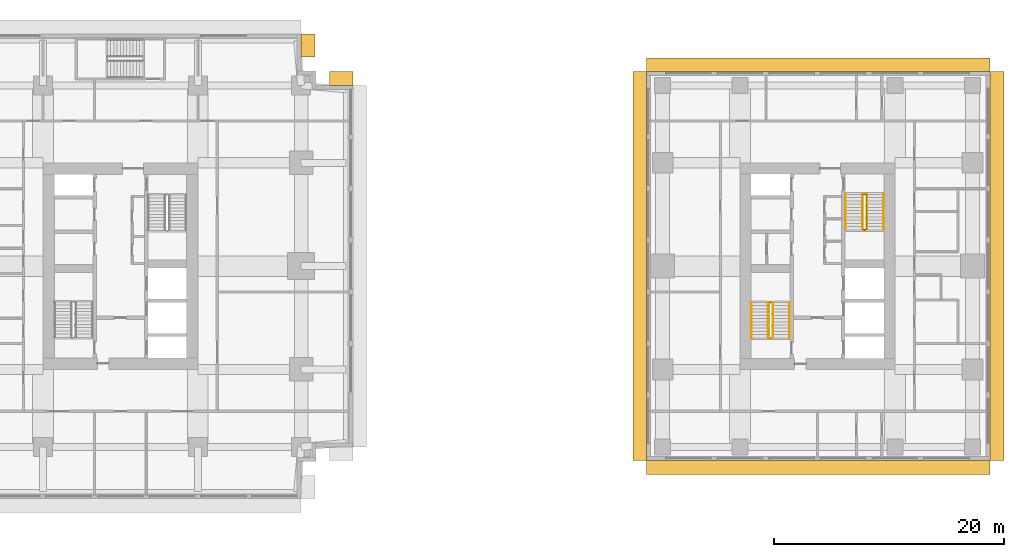
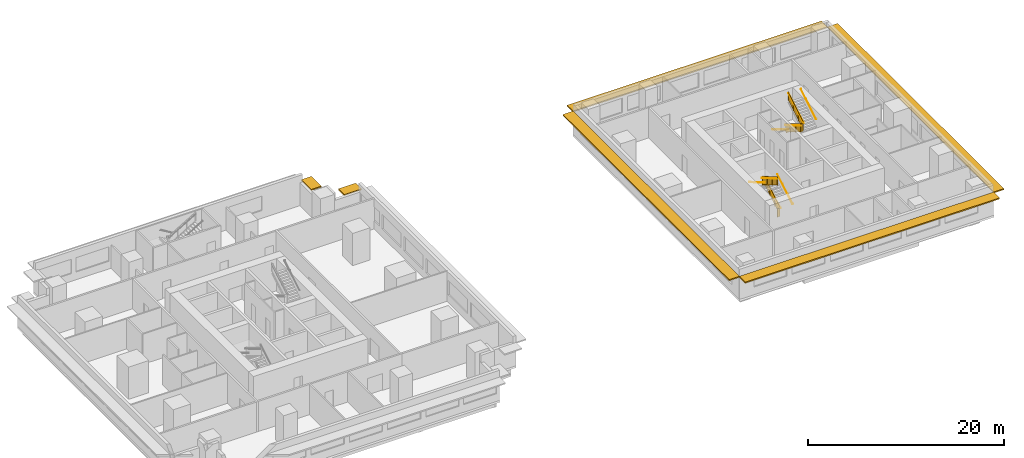
# One storey, part 11 of 11: 10 railings, 6 shading devices.
"""IFC4 building model written with IfcOpenShell, lengths in metres."""

from ifc_helpers import new_model, si_unit, direction, frame, origin, origin_2d, place, context, subcontext, project, spatial, polyline, rectangle, circle, outline, extrude, material, layer, layer_set, type_object, element, save


model = new_model("IFC4")

# Units and contexts
model_context = context("Model", 3, precision=1e-05, world=origin(), true_north=direction((0.0, 1.0)))
body_context = subcontext(model_context, "Body", "Model", "MODEL_VIEW")
ifc_project = project(units=[si_unit("LENGTHUNIT", "METRE"), si_unit("AREAUNIT", "SQUARE_METRE"), si_unit("VOLUMEUNIT", "CUBIC_METRE"), si_unit("PLANEANGLEUNIT", "RADIAN"), si_unit("MASSUNIT", "GRAM", prefix="KILO")], contexts=[model_context])

# Site, building, storey
site_placement = place(None, origin())
site = spatial("IfcSite", under=ifc_project, at=site_placement, CompositionType="ELEMENT")
building_placement = place(site_placement, origin())
building = spatial("IfcBuilding", under=site, at=building_placement, Name="Namib Vertical Campus", CompositionType="ELEMENT")
storey_placement = place(building_placement, frame((0.0, 0.0, 197.0)))
storey = spatial("IfcBuildingStorey", under=building, at=storey_placement, Name="L46", CompositionType="ELEMENT", Elevation=197.0)

# Railings
ifc_material_1 = material(Name="Steel handrail", Category="steel")
railing_type_1 = type_object("IfcRailingType", Name="Handrail 900", PredefinedType="HANDRAIL", material=ifc_material_1)
railing_1_placement = place(storey_placement, frame((78.550048828125, 14.0, 0.166748046875)))
element("IfcRailing", 1, at=railing_1_placement, inside=storey, type_object=railing_type_1, Name="Handrail HR1 B-S1 L46 1", PredefinedType="HANDRAIL", context=body_context, shape_type="SweptSolid", body=[
    extrude(circle(Radius=0.02392578125, at=origin_2d()), frame((0.0, 0.0, 0.8759765625), z_axis=(0.0, 0.859308565015, 0.511457515432), x_axis=(-1.0, 0.0, 0.0)), (0.0, 0.0, 1.0), 3.58447265625),
    extrude(circle(Radius=0.008056640625, at=origin_2d()), frame((0.0, 0.0, 0.8759765625), z_axis=(1.0, 0.0, 0.0), x_axis=(0.0, 0.0, 1.0)), (0.0, 0.0, 1.0), 0.050048828125),
    extrude(circle(Radius=0.008056640625, at=origin_2d()), frame((0.0, 1.026611328125, 1.48681640625), z_axis=(1.0, 0.0, 0.0), x_axis=(0.0, 0.0, 1.0)), (0.0, 0.0, 1.0), 0.050048828125),
    extrude(circle(Radius=0.008056640625, at=origin_2d()), frame((0.0, 2.053466796875, 2.09814453125), z_axis=(1.0, 0.0, 0.0), x_axis=(0.0, 0.0, 1.0)), (0.0, 0.0, 1.0), 0.050048828125),
    extrude(circle(Radius=0.008056640625, at=origin_2d()), frame((0.0, 3.080078125, 2.708984375), z_axis=(1.0, 0.0, 0.0), x_axis=(0.0, 0.0, 1.0)), (0.0, 0.0, 1.0), 0.050048828125),
])
railing_2_placement = place(storey_placement, frame((75.25, 17.080078125, 2.166748046875)))
element("IfcRailing", 2, at=railing_2_placement, inside=storey, type_object=railing_type_1, Name="Handrail HR1 B-S1 L46 2", PredefinedType="HANDRAIL", context=body_context, shape_type="SweptSolid", body=[
    extrude(circle(Radius=0.02392578125, at=origin_2d()), frame((0.0, 0.0, 0.8759765625), z_axis=(0.0, -0.859308565015, 0.511457515432), x_axis=(1.0, 0.0, 0.0)), (0.0, 0.0, 1.0), 3.58447265625),
    extrude(circle(Radius=0.008056640625, at=origin_2d()), frame((0.0, 0.0, 0.8759765625), z_axis=(-1.0, 0.0, 0.0), x_axis=(0.0, 0.0, 1.0)), (0.0, 0.0, 1.0), 0.050048828125),
    extrude(circle(Radius=0.008056640625, at=origin_2d()), frame((0.0, -1.026611328125, 1.48681640625), z_axis=(-1.0, 0.0, 0.0), x_axis=(0.0, 0.0, 1.0)), (0.0, 0.0, 1.0), 0.050048828125),
    extrude(circle(Radius=0.008056640625, at=origin_2d()), frame((0.0, -2.053466796875, 2.09814453125), z_axis=(-1.0, 0.0, 0.0), x_axis=(0.0, 0.0, 1.0)), (0.0, 0.0, 1.0), 0.050048828125),
    extrude(circle(Radius=0.008056640625, at=origin_2d()), frame((0.0, -3.080078125, 2.708984375), z_axis=(-1.0, 0.0, 0.0), x_axis=(0.0, 0.0, 1.0)), (0.0, 0.0, 1.0), 0.050048828125),
])
railing_3_placement = place(storey_placement, frame((77.10009765625, 14.0, 0.166748046875)))
element("IfcRailing", 3, at=railing_3_placement, inside=storey, type_object=railing_type_1, Name="Handrail HR1 B-S1 L46 1 at the well", PredefinedType="HANDRAIL", context=body_context, shape_type="SweptSolid", body=[
    extrude(circle(Radius=0.02392578125, at=origin_2d()), frame((0.0, 0.0, 0.8759765625), z_axis=(0.0, 0.859308565015, 0.511457515432), x_axis=(-1.0, 0.0, 0.0)), (0.0, 0.0, 1.0), 3.58447265625),
    extrude(circle(Radius=0.008056640625, at=origin_2d()), frame((0.0, 0.0, 0.8759765625), z_axis=(-1.0, 0.0, 0.0), x_axis=(0.0, 0.0, 1.0)), (0.0, 0.0, 1.0), 0.0400390625),
    extrude(circle(Radius=0.008056640625, at=origin_2d()), frame((0.0, 1.026611328125, 1.48681640625), z_axis=(-1.0, 0.0, 0.0), x_axis=(0.0, 0.0, 1.0)), (0.0, 0.0, 1.0), 0.0400390625),
    extrude(circle(Radius=0.008056640625, at=origin_2d()), frame((0.0, 2.053466796875, 2.09814453125), z_axis=(-1.0, 0.0, 0.0), x_axis=(0.0, 0.0, 1.0)), (0.0, 0.0, 1.0), 0.0400390625),
    extrude(circle(Radius=0.008056640625, at=origin_2d()), frame((0.0, 3.080078125, 2.708984375), z_axis=(-1.0, 0.0, 0.0), x_axis=(0.0, 0.0, 1.0)), (0.0, 0.0, 1.0), 0.0400390625),
])
railing_4_placement = place(storey_placement, frame((76.699951171875, 17.080078125, 2.166748046875)))
element("IfcRailing", 4, at=railing_4_placement, inside=storey, type_object=railing_type_1, Name="Handrail HR1 B-S1 L46 2 at the well", PredefinedType="HANDRAIL", context=body_context, shape_type="SweptSolid", body=[
    extrude(circle(Radius=0.02392578125, at=origin_2d()), frame((0.0, 0.0, 0.8759765625), z_axis=(0.0, -0.859308565015, 0.511457515432), x_axis=(1.0, 0.0, 0.0)), (0.0, 0.0, 1.0), 3.58447265625),
    extrude(circle(Radius=0.008056640625, at=origin_2d()), frame((0.0, 0.0, 0.8759765625), z_axis=(1.0, 0.0, 0.0), x_axis=(0.0, 0.0, 1.0)), (0.0, 0.0, 1.0), 0.0400390625),
    extrude(circle(Radius=0.008056640625, at=origin_2d()), frame((0.0, -1.026611328125, 1.48681640625), z_axis=(1.0, 0.0, 0.0), x_axis=(0.0, 0.0, 1.0)), (0.0, 0.0, 1.0), 0.0400390625),
    extrude(circle(Radius=0.008056640625, at=origin_2d()), frame((0.0, -2.053466796875, 2.09814453125), z_axis=(1.0, 0.0, 0.0), x_axis=(0.0, 0.0, 1.0)), (0.0, 0.0, 1.0), 0.0400390625),
    extrude(circle(Radius=0.008056640625, at=origin_2d()), frame((0.0, -3.080078125, 2.708984375), z_axis=(1.0, 0.0, 0.0), x_axis=(0.0, 0.0, 1.0)), (0.0, 0.0, 1.0), 0.0400390625),
])
railing_5_placement = place(storey_placement, frame((83.449951171875, 26.5, 0.166748046875)))
element("IfcRailing", 5, at=railing_5_placement, inside=storey, type_object=railing_type_1, Name="Handrail HR1 B-S2 L46 1", PredefinedType="HANDRAIL", context=body_context, shape_type="SweptSolid", body=[
    extrude(circle(Radius=0.02392578125, at=origin_2d()), frame((0.0, 0.0, 0.8759765625), z_axis=(0.0, -0.859308565015, 0.511457515432), x_axis=(1.0, 0.0, 0.0)), (0.0, 0.0, 1.0), 3.58447265625),
    extrude(circle(Radius=0.008056640625, at=origin_2d()), frame((0.0, 0.0, 0.8759765625), z_axis=(-1.0, 0.0, 0.0), x_axis=(0.0, 0.0, 1.0)), (0.0, 0.0, 1.0), 0.050048828125),
    extrude(circle(Radius=0.008056640625, at=origin_2d()), frame((0.0, -1.026611328125, 1.48681640625), z_axis=(-1.0, 0.0, 0.0), x_axis=(0.0, 0.0, 1.0)), (0.0, 0.0, 1.0), 0.050048828125),
    extrude(circle(Radius=0.008056640625, at=origin_2d()), frame((0.0, -2.053466796875, 2.09814453125), z_axis=(-1.0, 0.0, 0.0), x_axis=(0.0, 0.0, 1.0)), (0.0, 0.0, 1.0), 0.050048828125),
    extrude(circle(Radius=0.008056640625, at=origin_2d()), frame((0.0, -3.080078125, 2.708984375), z_axis=(-1.0, 0.0, 0.0), x_axis=(0.0, 0.0, 1.0)), (0.0, 0.0, 1.0), 0.050048828125),
])
railing_6_placement = place(storey_placement, frame((86.75, 23.419921875, 2.166748046875)))
element("IfcRailing", 6, at=railing_6_placement, inside=storey, type_object=railing_type_1, Name="Handrail HR1 B-S2 L46 2", PredefinedType="HANDRAIL", context=body_context, shape_type="SweptSolid", body=[
    extrude(circle(Radius=0.02392578125, at=origin_2d()), frame((0.0, 0.0, 0.8759765625), z_axis=(0.0, 0.859308565015, 0.511457515432), x_axis=(-1.0, 0.0, 0.0)), (0.0, 0.0, 1.0), 3.58447265625),
    extrude(circle(Radius=0.008056640625, at=origin_2d()), frame((0.0, 0.0, 0.8759765625), z_axis=(1.0, 0.0, 0.0), x_axis=(0.0, 0.0, 1.0)), (0.0, 0.0, 1.0), 0.050048828125),
    extrude(circle(Radius=0.008056640625, at=origin_2d()), frame((0.0, 1.026611328125, 1.48681640625), z_axis=(1.0, 0.0, 0.0), x_axis=(0.0, 0.0, 1.0)), (0.0, 0.0, 1.0), 0.050048828125),
    extrude(circle(Radius=0.008056640625, at=origin_2d()), frame((0.0, 2.053466796875, 2.09814453125), z_axis=(1.0, 0.0, 0.0), x_axis=(0.0, 0.0, 1.0)), (0.0, 0.0, 1.0), 0.050048828125),
    extrude(circle(Radius=0.008056640625, at=origin_2d()), frame((0.0, 3.080078125, 2.708984375), z_axis=(1.0, 0.0, 0.0), x_axis=(0.0, 0.0, 1.0)), (0.0, 0.0, 1.0), 0.050048828125),
])
railing_7_placement = place(storey_placement, frame((84.89990234375, 26.5, 0.166748046875)))
element("IfcRailing", 7, at=railing_7_placement, inside=storey, type_object=railing_type_1, Name="Handrail HR1 B-S2 L46 1 at the well", PredefinedType="HANDRAIL", context=body_context, shape_type="SweptSolid", body=[
    extrude(circle(Radius=0.02392578125, at=origin_2d()), frame((0.0, 0.0, 0.8759765625), z_axis=(0.0, -0.859308565015, 0.511457515432), x_axis=(1.0, 0.0, 0.0)), (0.0, 0.0, 1.0), 3.58447265625),
    extrude(circle(Radius=0.008056640625, at=origin_2d()), frame((0.0, 0.0, 0.8759765625), z_axis=(1.0, 0.0, 0.0), x_axis=(0.0, 0.0, 1.0)), (0.0, 0.0, 1.0), 0.0400390625),
    extrude(circle(Radius=0.008056640625, at=origin_2d()), frame((0.0, -1.026611328125, 1.48681640625), z_axis=(1.0, 0.0, 0.0), x_axis=(0.0, 0.0, 1.0)), (0.0, 0.0, 1.0), 0.0400390625),
    extrude(circle(Radius=0.008056640625, at=origin_2d()), frame((0.0, -2.053466796875, 2.09814453125), z_axis=(1.0, 0.0, 0.0), x_axis=(0.0, 0.0, 1.0)), (0.0, 0.0, 1.0), 0.0400390625),
    extrude(circle(Radius=0.008056640625, at=origin_2d()), frame((0.0, -3.080078125, 2.708984375), z_axis=(1.0, 0.0, 0.0), x_axis=(0.0, 0.0, 1.0)), (0.0, 0.0, 1.0), 0.0400390625),
])
railing_8_placement = place(storey_placement, frame((85.300048828125, 23.419921875, 2.166748046875)))
element("IfcRailing", 8, at=railing_8_placement, inside=storey, type_object=railing_type_1, Name="Handrail HR1 B-S2 L46 2 at the well", PredefinedType="HANDRAIL", context=body_context, shape_type="SweptSolid", body=[
    extrude(circle(Radius=0.02392578125, at=origin_2d()), frame((0.0, 0.0, 0.8759765625), z_axis=(0.0, 0.859308565015, 0.511457515432), x_axis=(-1.0, 0.0, 0.0)), (0.0, 0.0, 1.0), 3.58447265625),
    extrude(circle(Radius=0.008056640625, at=origin_2d()), frame((0.0, 0.0, 0.8759765625), z_axis=(-1.0, 0.0, 0.0), x_axis=(0.0, 0.0, 1.0)), (0.0, 0.0, 1.0), 0.0400390625),
    extrude(circle(Radius=0.008056640625, at=origin_2d()), frame((0.0, 1.026611328125, 1.48681640625), z_axis=(-1.0, 0.0, 0.0), x_axis=(0.0, 0.0, 1.0)), (0.0, 0.0, 1.0), 0.0400390625),
    extrude(circle(Radius=0.008056640625, at=origin_2d()), frame((0.0, 2.053466796875, 2.09814453125), z_axis=(-1.0, 0.0, 0.0), x_axis=(0.0, 0.0, 1.0)), (0.0, 0.0, 1.0), 0.0400390625),
    extrude(circle(Radius=0.008056640625, at=origin_2d()), frame((0.0, 3.080078125, 2.708984375), z_axis=(-1.0, 0.0, 0.0), x_axis=(0.0, 0.0, 1.0)), (0.0, 0.0, 1.0), 0.0400390625),
])
ifc_material_2 = material(Name="Steel balustrade", Category="steel")
railing_type_2 = type_object("IfcRailingType", Name="Stair guard 1100", PredefinedType="GUARDRAIL", material=ifc_material_2)
railing_9_placement = place(storey_placement, frame((76.75, 14.0, 0.0)))
element("IfcRailing", 9, at=railing_9_placement, inside=storey, type_object=railing_type_2, Name="Stair guard GR1 B-S1 L46", PredefinedType="GUARDRAIL", context=body_context, shape_type="SweptSolid", body=[
    extrude(circle(Radius=0.02392578125, at=origin_2d()), frame((0.0, 0.0, 1.076171875), z_axis=(1.0, 0.0, 0.0), x_axis=(0.0, 1.0, 0.0)), (0.0, 0.0, 1.0), 0.300048828125),
    extrude(outline(polyline([(0.02099609375, 0.050048828125), (0.279052734375, 0.050048828125), (0.279052734375, 1.052001953125), (0.02099609375, 1.052001953125), (0.02099609375, 0.050048828125)])), frame((0.0, 0.010009765625, 0.0), z_axis=(0.0, -1.0, 0.0), x_axis=(1.0, 0.0, 0.0)), (0.0, 0.0, 1.0), 0.02001953125),
    extrude(circle(Radius=0.02392578125, at=origin_2d()), frame((0.300048828125, 0.0, 1.076171875), z_axis=(0.0, 0.0, 1.0), x_axis=(1.0, 0.0, 0.0)), (0.0, 0.0, 1.0), 0.166748046875),
    extrude(circle(Radius=0.02392578125, at=origin_2d()), frame((0.300048828125, 0.0, 1.24267578125), z_axis=(0.0, 0.859308565015, 0.511457515432), x_axis=(-1.0, 0.0, 0.0)), (0.0, 0.0, 1.0), 3.58447265625),
    extrude(outline(polyline([(0.02099609375, 0.0625), (3.05908203125, 1.870849609375), (3.05908203125, 2.872802734375), (0.02099609375, 1.064453125), (0.02099609375, 0.0625)])), frame((0.2900390625, 0.0, 0.166748046875), z_axis=(1.0, 0.0, 0.0), x_axis=(0.0, 1.0, 0.0)), (0.0, 0.0, 1.0), 0.02001953125),
    extrude(circle(Radius=0.02392578125, at=origin_2d()), frame((0.300048828125, 3.080078125, 3.076171875), z_axis=(-1.0, 0.0, 0.0), x_axis=(0.0, -1.0, 0.0)), (0.0, 0.0, 1.0), 0.300048828125),
    extrude(outline(polyline([(0.02099609375, 0.050048828125), (0.279052734375, 0.050048828125), (0.279052734375, 1.052001953125), (0.02099609375, 1.052001953125), (0.02099609375, 0.050048828125)])), frame((0.300048828125, 3.070068359375, 2.0), z_axis=(0.0, 1.0, 0.0), x_axis=(-1.0, 0.0, 0.0)), (0.0, 0.0, 1.0), 0.02001953125),
    extrude(circle(Radius=0.02392578125, at=origin_2d()), frame((0.0, 3.080078125, 3.076171875), z_axis=(0.0, 0.0, 1.0), x_axis=(1.0, 0.0, 0.0)), (0.0, 0.0, 1.0), 0.166748046875),
    extrude(circle(Radius=0.02392578125, at=origin_2d()), frame((0.0, 3.080078125, 3.24267578125), z_axis=(0.0, -0.859308565015, 0.511457515432), x_axis=(1.0, 0.0, 0.0)), (0.0, 0.0, 1.0), 3.58447265625),
    extrude(outline(polyline([(0.02099609375, 0.0625), (3.05908203125, 1.870849609375), (3.05908203125, 2.872802734375), (0.02099609375, 1.064453125), (0.02099609375, 0.0625)])), frame((0.010009765625, 3.080078125, 2.166748046875), z_axis=(-1.0, 0.0, 0.0), x_axis=(0.0, -1.0, 0.0)), (0.0, 0.0, 1.0), 0.02001953125),
    extrude(circle(Radius=0.02392578125, at=origin_2d()), frame((0.0, 0.0, 5.076171875), z_axis=(0.0, -1.0, 0.0), x_axis=(1.0, 0.0, 0.0)), (0.0, 0.0, 1.0), 0.050048828125),
    extrude(outline(polyline([(0.02099609375, 0.050048828125), (0.029052734375, 0.050048828125), (0.029052734375, 1.052001953125), (0.02099609375, 1.052001953125), (0.02099609375, 0.050048828125)])), frame((0.010009765625, 0.0, 4.0), z_axis=(-1.0, 0.0, 0.0), x_axis=(0.0, -1.0, 0.0)), (0.0, 0.0, 1.0), 0.02001953125),
    extrude(circle(Radius=0.02099609375, at=origin_2d()), origin(), (0.0, 0.0, 1.0), 1.052001953125),
    extrude(circle(Radius=0.02099609375, at=origin_2d()), frame((0.300048828125, 0.0, 0.166748046875)), (0.0, 0.0, 1.0), 1.052001953125),
    extrude(circle(Radius=0.02099609375, at=origin_2d()), frame((0.300048828125, 1.026611328125, 0.666748046875)), (0.0, 0.0, 1.0), 1.1630859375),
    extrude(circle(Radius=0.02099609375, at=origin_2d()), frame((0.300048828125, 2.053466796875, 1.33349609375)), (0.0, 0.0, 1.0), 1.107421875),
    extrude(circle(Radius=0.02099609375, at=origin_2d()), frame((0.300048828125, 3.080078125, 2.0)), (0.0, 0.0, 1.0), 1.052001953125),
    extrude(circle(Radius=0.02099609375, at=origin_2d()), frame((0.0, 3.080078125, 2.166748046875)), (0.0, 0.0, 1.0), 1.052001953125),
    extrude(circle(Radius=0.02099609375, at=origin_2d()), frame((0.0, 2.053466796875, 2.666748046875)), (0.0, 0.0, 1.0), 1.1630859375),
    extrude(circle(Radius=0.02099609375, at=origin_2d()), frame((0.0, 1.026611328125, 3.33349609375)), (0.0, 0.0, 1.0), 1.107421875),
    extrude(circle(Radius=0.02099609375, at=origin_2d()), frame((0.0, 0.0, 4.0)), (0.0, 0.0, 1.0), 1.052001953125),
    extrude(circle(Radius=0.02099609375, at=origin_2d()), frame((0.0, -0.050048828125, 4.0)), (0.0, 0.0, 1.0), 1.052001953125),
])
railing_10_placement = place(storey_placement, frame((85.25, 26.5, 0.0)))
element("IfcRailing", 10, at=railing_10_placement, inside=storey, type_object=railing_type_2, Name="Stair guard GR1 B-S2 L46", PredefinedType="GUARDRAIL", context=body_context, shape_type="SweptSolid", body=[
    extrude(circle(Radius=0.02392578125, at=origin_2d()), frame((0.0, 0.0, 1.076171875), z_axis=(-1.0, 0.0, 0.0), x_axis=(0.0, -1.0, 0.0)), (0.0, 0.0, 1.0), 0.300048828125),
    extrude(outline(polyline([(0.02099609375, 0.050048828125), (0.279052734375, 0.050048828125), (0.279052734375, 1.052001953125), (0.02099609375, 1.052001953125), (0.02099609375, 0.050048828125)])), frame((0.0, -0.010009765625, 0.0), z_axis=(0.0, 1.0, 0.0), x_axis=(-1.0, 0.0, 0.0)), (0.0, 0.0, 1.0), 0.02001953125),
    extrude(circle(Radius=0.02392578125, at=origin_2d()), frame((-0.300048828125, 0.0, 1.076171875), z_axis=(0.0, 0.0, 1.0), x_axis=(1.0, 0.0, 0.0)), (0.0, 0.0, 1.0), 0.166748046875),
    extrude(circle(Radius=0.02392578125, at=origin_2d()), frame((-0.300048828125, 0.0, 1.24267578125), z_axis=(0.0, -0.859308565015, 0.511457515432), x_axis=(1.0, 0.0, 0.0)), (0.0, 0.0, 1.0), 3.58447265625),
    extrude(outline(polyline([(0.02099609375, 0.0625), (3.05908203125, 1.870849609375), (3.05908203125, 2.872802734375), (0.02099609375, 1.064453125), (0.02099609375, 0.0625)])), frame((-0.2900390625, 0.0, 0.166748046875), z_axis=(-1.0, 0.0, 0.0), x_axis=(0.0, -1.0, 0.0)), (0.0, 0.0, 1.0), 0.02001953125),
    extrude(circle(Radius=0.02392578125, at=origin_2d()), frame((-0.300048828125, -3.080078125, 3.076171875), z_axis=(1.0, 0.0, 0.0), x_axis=(0.0, 1.0, 0.0)), (0.0, 0.0, 1.0), 0.300048828125),
    extrude(outline(polyline([(0.02099609375, 0.050048828125), (0.279052734375, 0.050048828125), (0.279052734375, 1.052001953125), (0.02099609375, 1.052001953125), (0.02099609375, 0.050048828125)])), frame((-0.300048828125, -3.070068359375, 2.0), z_axis=(0.0, -1.0, 0.0), x_axis=(1.0, 0.0, 0.0)), (0.0, 0.0, 1.0), 0.02001953125),
    extrude(circle(Radius=0.02392578125, at=origin_2d()), frame((0.0, -3.080078125, 3.076171875), z_axis=(0.0, 0.0, 1.0), x_axis=(1.0, 0.0, 0.0)), (0.0, 0.0, 1.0), 0.166748046875),
    extrude(circle(Radius=0.02392578125, at=origin_2d()), frame((0.0, -3.080078125, 3.24267578125), z_axis=(0.0, 0.859308565015, 0.511457515432), x_axis=(-1.0, 0.0, 0.0)), (0.0, 0.0, 1.0), 3.58447265625),
    extrude(outline(polyline([(0.02099609375, 0.0625), (3.05908203125, 1.870849609375), (3.05908203125, 2.872802734375), (0.02099609375, 1.064453125), (0.02099609375, 0.0625)])), frame((-0.010009765625, -3.080078125, 2.166748046875), z_axis=(1.0, 0.0, 0.0), x_axis=(0.0, 1.0, 0.0)), (0.0, 0.0, 1.0), 0.02001953125),
    extrude(circle(Radius=0.02392578125, at=origin_2d()), frame((0.0, 0.0, 5.076171875), z_axis=(0.0, 1.0, 0.0), x_axis=(-1.0, 0.0, 0.0)), (0.0, 0.0, 1.0), 0.050048828125),
    extrude(outline(polyline([(0.02099609375, 0.050048828125), (0.029052734375, 0.050048828125), (0.029052734375, 1.052001953125), (0.02099609375, 1.052001953125), (0.02099609375, 0.050048828125)])), frame((-0.010009765625, 0.0, 4.0), z_axis=(1.0, 0.0, 0.0), x_axis=(0.0, 1.0, 0.0)), (0.0, 0.0, 1.0), 0.02001953125),
    extrude(circle(Radius=0.02099609375, at=origin_2d()), origin(), (0.0, 0.0, 1.0), 1.052001953125),
    extrude(circle(Radius=0.02099609375, at=origin_2d()), frame((-0.300048828125, 0.0, 0.166748046875)), (0.0, 0.0, 1.0), 1.052001953125),
    extrude(circle(Radius=0.02099609375, at=origin_2d()), frame((-0.300048828125, -1.026611328125, 0.666748046875)), (0.0, 0.0, 1.0), 1.1630859375),
    extrude(circle(Radius=0.02099609375, at=origin_2d()), frame((-0.300048828125, -2.053466796875, 1.33349609375)), (0.0, 0.0, 1.0), 1.107421875),
    extrude(circle(Radius=0.02099609375, at=origin_2d()), frame((-0.300048828125, -3.080078125, 2.0)), (0.0, 0.0, 1.0), 1.052001953125),
    extrude(circle(Radius=0.02099609375, at=origin_2d()), frame((0.0, -3.080078125, 2.166748046875)), (0.0, 0.0, 1.0), 1.052001953125),
    extrude(circle(Radius=0.02099609375, at=origin_2d()), frame((0.0, -2.053466796875, 2.666748046875)), (0.0, 0.0, 1.0), 1.1630859375),
    extrude(circle(Radius=0.02099609375, at=origin_2d()), frame((0.0, -1.026611328125, 3.33349609375)), (0.0, 0.0, 1.0), 1.107421875),
    extrude(circle(Radius=0.02099609375, at=origin_2d()), frame((0.0, 0.0, 4.0)), (0.0, 0.0, 1.0), 1.052001953125),
    extrude(circle(Radius=0.02099609375, at=origin_2d()), frame((0.0, 0.050048828125, 4.0)), (0.0, 0.0, 1.0), 1.052001953125),
])

# Shading devices
ifc_material_3 = material(Name="Concrete C40/50 precast", Category="concrete")
ifc_layer = layer(ifc_material_3, 0.14990234375)
ifc_layer_set = layer_set([ifc_layer], Name="Concrete C40/50 precast")
shading_device_type = type_object("IfcShadingDeviceType", Name="Sunshade hood 1200", PredefinedType="SHUTTER", material=ifc_layer_set)
for number, where, z_axis, x_axis, name in (
    (11, (39.487548828125, 36.60009765625, 2.75), (0.0, 0.0, 1.0), (-1.0, 0.0, 0.0), "Sunshade SH2 L46 7"),
    (12, (36.60009765625, 39.487548828125, 2.75), (0.0, 0.0, 1.0), (0.0, 1.0, 0.0), "Sunshade SH2 L46 10"),
):
    element("IfcShadingDevice", number, at=place(storey_placement, frame(where, z_axis=z_axis, x_axis=x_axis)), inside=storey, type_object=shading_device_type, Name=name, PredefinedType="SHUTTER", context=body_context, shape_type="SweptSolid", body=[
        extrude(rectangle(XDim=2.02490234375, YDim=1.199951171875, at=origin_2d()), origin(), (0.0, 0.0, 1.0), 0.14990234375),
    ])
shading_device_1_placement = place(storey_placement, frame((81.074951171875, 2.699951171875, 2.75), z_axis=(0.0, 0.0, 1.0), x_axis=(1.0, 0.0, 0.0)))
element("IfcShadingDevice", 13, at=shading_device_1_placement, inside=storey, type_object=shading_device_type, Name="Sunshade SH2 L46 1", PredefinedType="SHUTTER", context=body_context, shape_type="SweptSolid", body=[
    extrude(rectangle(XDim=29.949951171875, YDim=1.199951171875, at=origin_2d()), origin(), (0.0, 0.0, 1.0), 0.14990234375),
])
shading_device_2_placement = place(storey_placement, frame((96.64990234375, 20.25, 2.75), z_axis=(0.0, 0.0, 1.0), x_axis=(0.0, 1.0, 0.0)))
element("IfcShadingDevice", 14, at=shading_device_2_placement, inside=storey, type_object=shading_device_type, Name="Sunshade SH2 L46 2", PredefinedType="SHUTTER", context=body_context, shape_type="SweptSolid", body=[
    extrude(rectangle(XDim=33.89990234375, YDim=1.199951171875, at=origin_2d()), origin(), (0.0, 0.0, 1.0), 0.14990234375),
])
shading_device_3_placement = place(storey_placement, frame((81.074951171875, 37.800048828125, 2.75), z_axis=(0.0, 0.0, 1.0), x_axis=(-1.0, 0.0, 0.0)))
element("IfcShadingDevice", 15, at=shading_device_3_placement, inside=storey, type_object=shading_device_type, Name="Sunshade SH2 L46 3", PredefinedType="SHUTTER", context=body_context, shape_type="SweptSolid", body=[
    extrude(rectangle(XDim=29.949951171875, YDim=1.199951171875, at=origin_2d()), origin(), (0.0, 0.0, 1.0), 0.14990234375),
])
shading_device_4_placement = place(storey_placement, frame((65.5, 20.25, 2.75), z_axis=(0.0, 0.0, 1.0), x_axis=(0.0, -1.0, 0.0)))
element("IfcShadingDevice", 16, at=shading_device_4_placement, inside=storey, type_object=shading_device_type, Name="Sunshade SH2 L46 4", PredefinedType="SHUTTER", context=body_context, shape_type="SweptSolid", body=[
    extrude(rectangle(XDim=33.89990234375, YDim=1.199951171875, at=origin_2d()), origin(), (0.0, 0.0, 1.0), 0.14990234375),
])

save(model, "model.ifc")
